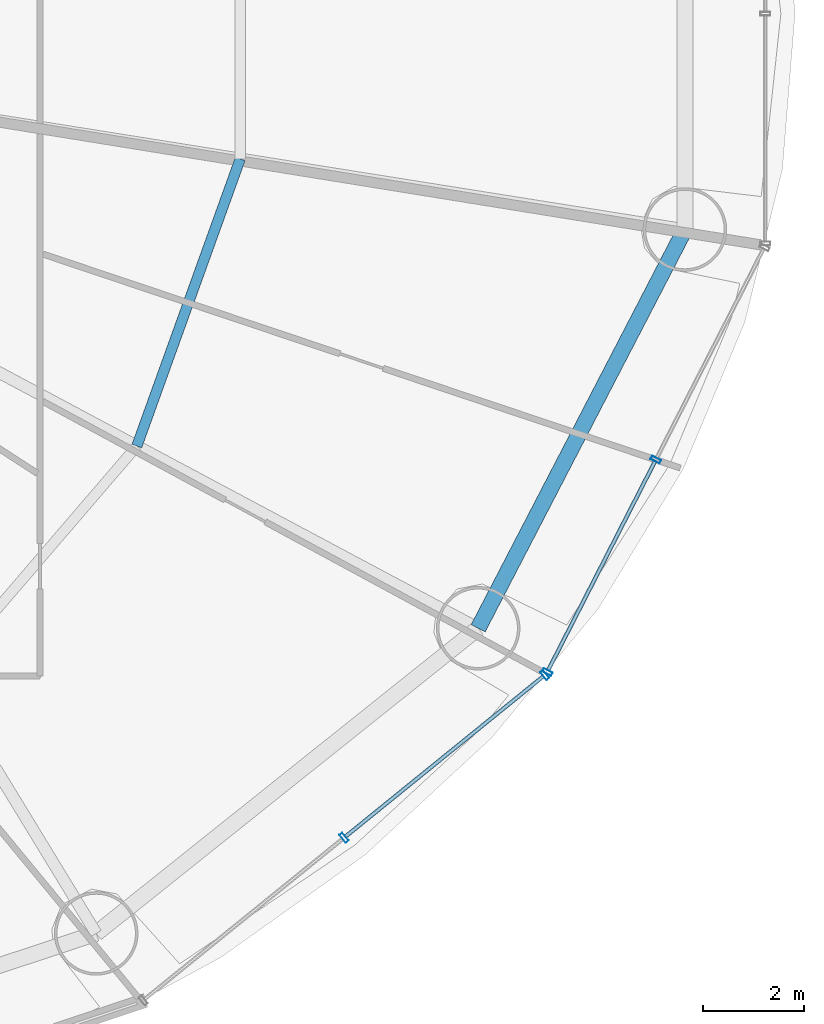
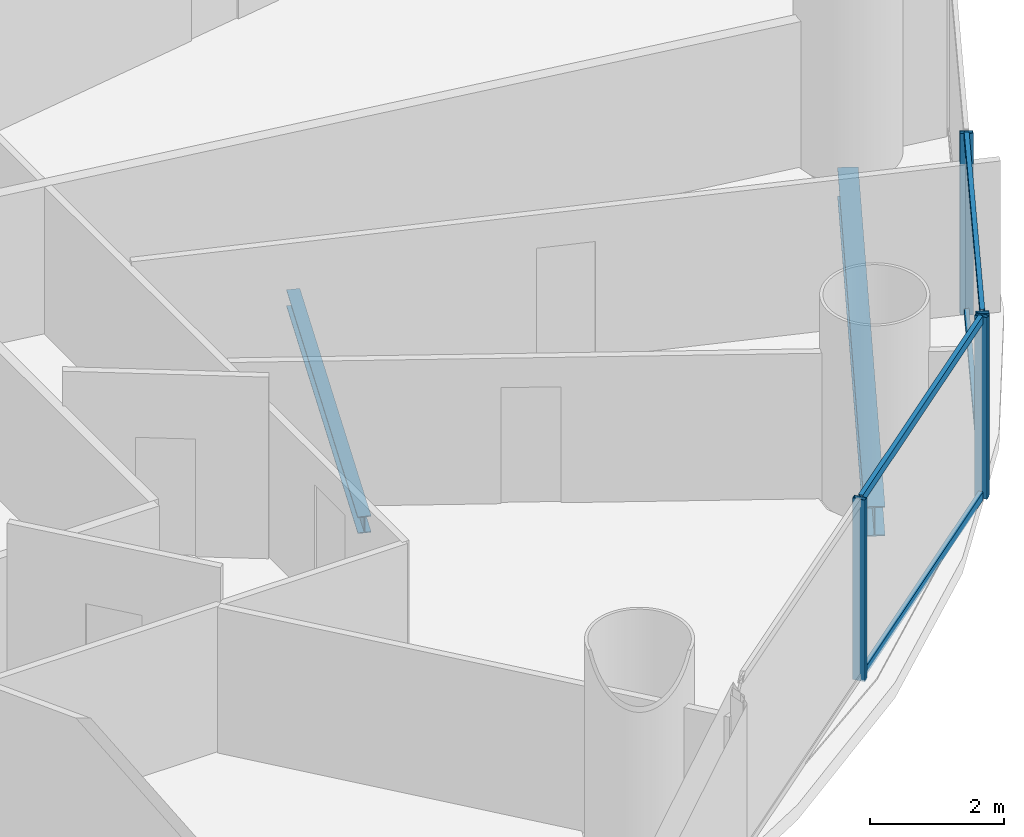
# One storey, part 12 of 30: 8 members, 2 beams, 2 elements without a shape of their own.
"""IFC4 building model written with IfcOpenShell, lengths in metres."""

from ifc_helpers import new_model, si_unit, direction, frame, origin, origin_2d, place, context, subcontext, project, spatial, hollow_rectangle, i_section, extrude, source, transform, mapped, material, material_profile, profile_set, type_object, element, aggregate, save


model = new_model("IFC4")

# Units and contexts
model_context = context("Model", 3, precision=1e-05, world=origin(), true_north=direction((-0.2419218956, 0.970295726276)))
body_context = subcontext(model_context, "Body", "Model", "MODEL_VIEW")
ifc_project = project(units=[si_unit("LENGTHUNIT", "METRE"), si_unit("AREAUNIT", "SQUARE_METRE"), si_unit("VOLUMEUNIT", "CUBIC_METRE"), si_unit("PLANEANGLEUNIT", "RADIAN"), si_unit("MASSUNIT", "GRAM", prefix="KILO")], contexts=[model_context])

# Site, building, storey
site_placement = place(None, origin())
site = spatial("IfcSite", under=ifc_project, at=site_placement, CompositionType="ELEMENT")
building_placement = place(site_placement, origin())
building = spatial("IfcBuilding", under=site, at=building_placement, Name="Cobrevalo Terracotta Tower", CompositionType="ELEMENT")
storey_placement = place(building_placement, frame((0.0, 0.0, 27.60009765625)))
storey = spatial("IfcBuildingStorey", under=building, at=storey_placement, Name="L06", CompositionType="ELEMENT", Elevation=27.60009765625)

# Beams
ifc_material_1 = material(Name="Steel S355", Category="steel")
ifc_material_profile_1 = material_profile(ifc_material_1, i_section(OverallWidth=0.2041015625, OverallDepth=0.305908203125, WebThickness=0.008544921875, FlangeThickness=0.0146484375, at=origin_2d()), Name="W 310x67")
ifc_profile_set_1 = profile_set([ifc_material_profile_1], Name="Steel S355")
beam_type_1 = type_object("IfcBeamType", Name="Structural Joist W 310x67 (Steel S355)", PredefinedType="JOIST", material=ifc_profile_set_1)
beam_1_placement = place(storey_placement, frame((53.997802734375, 18.26025390625, -0.43310546875), z_axis=(0.338672151116, 0.940904444701, 0.0), x_axis=(-0.940904444701, 0.338672151116, 0.0)))
element("IfcBeam", 1, at=beam_1_placement, inside=storey, type_object=beam_type_1, Name="L06 circumferential secondary floor joist 15", PredefinedType="JOIST", context=body_context, shape_type="SweptSolid", body=[
    extrude(i_section(OverallWidth=0.2041015625, OverallDepth=0.305908203125, WebThickness=0.008544921875, FlangeThickness=0.0146484375, at=origin_2d()), origin(), (0.0, 0.0, 1.0), 6.029296875),
])
ifc_material_profile_2 = material_profile(ifc_material_1, i_section(OverallWidth=0.31201171875, OverallDepth=0.54296875, WebThickness=0.0126953125, FlangeThickness=0.020263671875, at=origin_2d()), Name="W 530x150")
ifc_profile_set_2 = profile_set([ifc_material_profile_2], Name="Steel S355")
beam_type_2 = type_object("IfcBeamType", Name="Structural Spandrel W 530x150 (Steel S355)", PredefinedType="SPANDREL", material=ifc_profile_set_2)
beam_2_placement = place(storey_placement, frame((60.74072265625, 14.660888671875, -0.551513671875), z_axis=(0.460285838799, 0.88777077368, 0.0), x_axis=(-0.88777077368, 0.460285838799, 0.0)))
element("IfcBeam", 2, at=beam_2_placement, inside=storey, type_object=beam_type_2, Name="L06 perimeter ring spandrel 15", PredefinedType="SPANDREL", context=body_context, shape_type="SweptSolid", body=[
    extrude(i_section(OverallWidth=0.31201171875, OverallDepth=0.54296875, WebThickness=0.0126953125, FlangeThickness=0.020263671875, at=origin_2d()), origin(), (0.0, 0.0, 1.0), 8.8720703125),
])

# Curtain wall, members
ifc_material_2 = material(Name="Anodized aluminium", Category="aluminium")
curtain_wall_type = type_object("IfcCurtainWallType", Name="Lower-tower unitised acoustic low-E curtain wall CW-U1", PredefinedType="NOTDEFINED", material=ifc_material_2)
curtain_wall_1_placement = place(storey_placement, origin())
curtain_wall_1 = element("IfcCurtainWall", 3, at=curtain_wall_1_placement, inside=storey, type_object=curtain_wall_type, Name="L06 curtain wall CW-L06-S14", PredefinedType="NOTDEFINED")
ifc_material_profile_3 = material_profile(ifc_material_2, hollow_rectangle(XDim=0.074951171875, YDim=0.14990234375, WallThickness=0.00439453125, at=origin_2d()), Name="CWT 75x150")
ifc_profile_set_3 = profile_set([ifc_material_profile_3], Name="Anodized aluminium")
member_type_1 = type_object("IfcMemberType", Name="Tower unitised aluminium transom 75x150", PredefinedType="USERDEFINED", material=ifc_profile_set_3)
shared_shape_1 = source(origin(), body_context, "Body", "SweptSolid", [
    extrude(hollow_rectangle(XDim=0.074951171875, YDim=0.14990234375, WallThickness=0.00439453125, at=origin_2d()), origin(), (0.0, 0.0, 1.0), 5.0234375),
])
member_1_placement = place(storey_placement, frame((58.122314453125, 10.54833984375, 0.0498046875), z_axis=(0.777022991593, 0.629472215857, 0.0), x_axis=(-0.629472215857, 0.777022991593, 0.0)))
member_1 = element("IfcMember", 4, at=member_1_placement, type_object=member_type_1, Name="CW-L06-S14 transom B02-T1", ObjectType="TRANSOM", PredefinedType="USERDEFINED", context=body_context, shape_type="MappedRepresentation", body=[
    mapped(shared_shape_1, transform((0.0, 0.0, 0.0), scale=1.0)),
])
member_2_placement = place(storey_placement, frame((58.122314453125, 10.54833984375, 3.27001953125), z_axis=(0.777022991593, 0.629472215857, 0.0), x_axis=(-0.629472215857, 0.777022991593, 0.0)))
member_2 = element("IfcMember", 5, at=member_2_placement, type_object=member_type_1, Name="CW-L06-S14 transom B02-T2", ObjectType="TRANSOM", PredefinedType="USERDEFINED", context=body_context, shape_type="MappedRepresentation", body=[
    mapped(shared_shape_1, transform((0.0, 0.0, 0.0), scale=1.0)),
])
ifc_material_profile_4 = material_profile(ifc_material_2, hollow_rectangle(XDim=0.074951171875, YDim=0.199951171875, WallThickness=0.0048828125, at=origin_2d()), Name="CWM 75x200")
ifc_profile_set_4 = profile_set([ifc_material_profile_4], Name="Anodized aluminium")
member_type_2 = type_object("IfcMemberType", Name="Lower/mid tower unitised mullion 75x200", PredefinedType="MULLION", material=ifc_profile_set_4)
shared_shape_2 = source(origin(), body_context, "Body", "SweptSolid", [
    extrude(hollow_rectangle(XDim=0.074951171875, YDim=0.199951171875, WallThickness=0.0048828125, at=origin_2d()), origin(), (0.0, 0.0, 1.0), 3.31982421875),
])
member_3_placement = place(storey_placement, frame((58.09130859375, 10.523193359375, 0.0), z_axis=(0.0, 0.0, 1.0), x_axis=(0.777003153187, 0.629496703675, 0.0)))
member_3 = element("IfcMember", 6, at=member_3_placement, type_object=member_type_2, Name="CW-L06-S14 vertical mullion 02", PredefinedType="MULLION", context=body_context, shape_type="MappedRepresentation", body=[
    mapped(shared_shape_2, transform((0.0, 0.0, 0.0), scale=1.0)),
])
member_4_placement = place(storey_placement, frame((62.056640625, 13.735595703125, 0.0), z_axis=(0.0, 0.0, 1.0), x_axis=(0.777003153187, 0.629496703675, 0.0)))
member_4 = element("IfcMember", 7, at=member_4_placement, type_object=member_type_2, Name="CW-L06-S14 vertical mullion 03", PredefinedType="MULLION", context=body_context, shape_type="MappedRepresentation", body=[
    mapped(shared_shape_2, transform((0.0, 0.0, 0.0), scale=1.0)),
])
aggregate(curtain_wall_1, [member_3, member_4, member_1, member_2])

curtain_wall_2_placement = place(storey_placement, origin())
curtain_wall_2 = element("IfcCurtainWall", 8, at=curtain_wall_2_placement, inside=storey, type_object=curtain_wall_type, Name="L06 curtain wall CW-L06-S15", PredefinedType="NOTDEFINED")
member_5_placement = place(storey_placement, frame((62.10595703125, 13.79638671875, 0.0), z_axis=(0.0, 0.0, 1.0), x_axis=(0.455234136597, 0.890371765543, 0.0)))
member_5 = element("IfcMember", 9, at=member_5_placement, type_object=member_type_2, Name="CW-L06-S15 vertical mullion 01", PredefinedType="MULLION", context=body_context, shape_type="MappedRepresentation", body=[
    mapped(shared_shape_2, transform((0.0, 0.0, 0.0), scale=1.0)),
])
member_6_placement = place(storey_placement, frame((64.25048828125, 17.990966796875, 0.0), z_axis=(0.0, 0.0, 1.0), x_axis=(0.455234136597, 0.890371765543, 0.0)))
member_6 = element("IfcMember", 10, at=member_6_placement, type_object=member_type_2, Name="CW-L06-S15 vertical mullion 02", PredefinedType="MULLION", context=body_context, shape_type="MappedRepresentation", body=[
    mapped(shared_shape_2, transform((0.0, 0.0, 0.0), scale=1.0)),
])
shared_shape_3 = source(origin(), body_context, "Body", "SweptSolid", [
    extrude(hollow_rectangle(XDim=0.074951171875, YDim=0.14990234375, WallThickness=0.00439453125, at=origin_2d()), origin(), (0.0, 0.0, 1.0), 4.631103515625),
])
member_7_placement = place(storey_placement, frame((62.1240234375, 13.83203125, 0.0498046875), z_axis=(0.455271744945, 0.89035253594, 0.0), x_axis=(-0.89035253594, 0.455271744945, 0.0)))
member_7 = element("IfcMember", 11, at=member_7_placement, type_object=member_type_1, Name="CW-L06-S15 transom B01-T1", ObjectType="TRANSOM", PredefinedType="USERDEFINED", context=body_context, shape_type="MappedRepresentation", body=[
    mapped(shared_shape_3, transform((0.0, 0.0, 0.0), scale=1.0)),
])
member_8_placement = place(storey_placement, frame((62.1240234375, 13.83203125, 3.27001953125), z_axis=(0.455271744945, 0.89035253594, 0.0), x_axis=(-0.89035253594, 0.455271744945, 0.0)))
member_8 = element("IfcMember", 12, at=member_8_placement, type_object=member_type_1, Name="CW-L06-S15 transom B01-T2", ObjectType="TRANSOM", PredefinedType="USERDEFINED", context=body_context, shape_type="MappedRepresentation", body=[
    mapped(shared_shape_3, transform((0.0, 0.0, 0.0), scale=1.0)),
])
aggregate(curtain_wall_2, [member_5, member_6, member_7, member_8])

save(model, "model.ifc")
